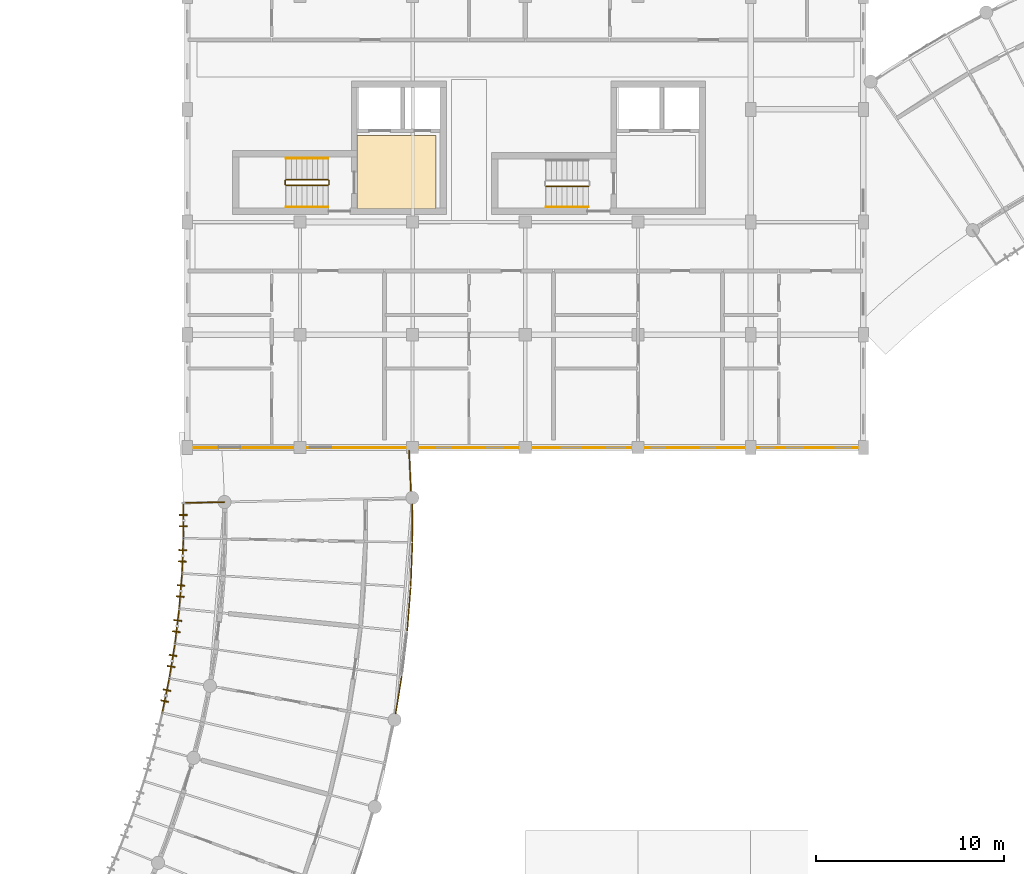
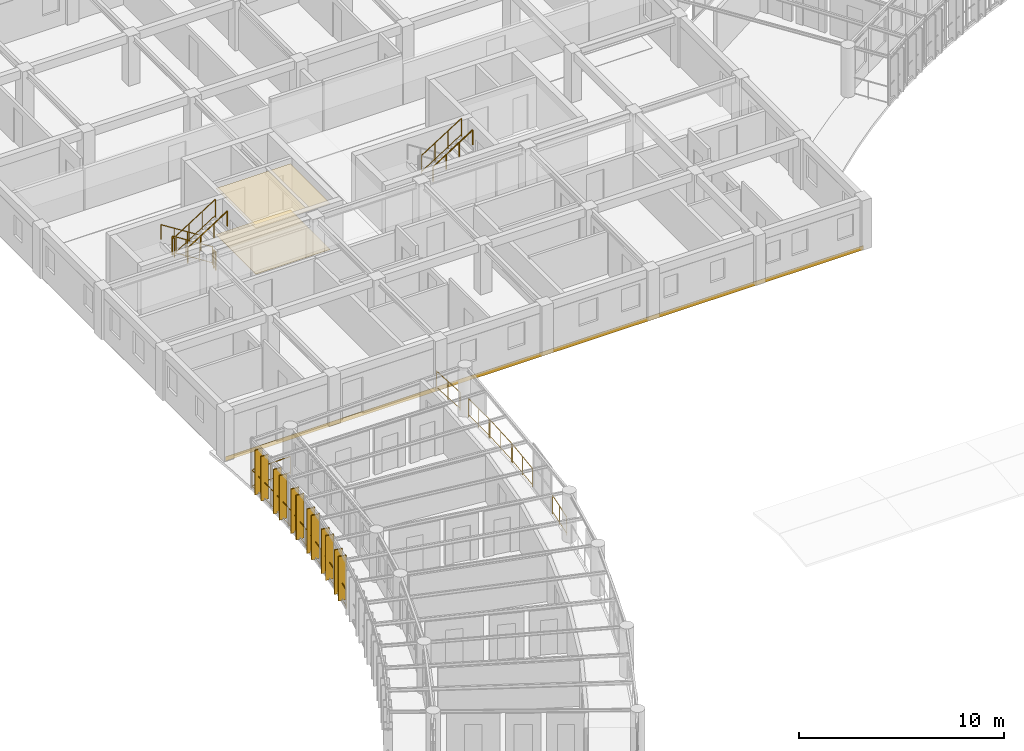
# One storey, part 94 of 100: 20 railings, 12 shading devices, 3 coverings.
"""IFC4 building model written with IfcOpenShell, lengths in metres."""

from ifc_helpers import new_model, si_unit, direction, frame, origin, origin_2d, place, context, subcontext, project, spatial, polyline, rectangle, circle, outline, extrude, material, layer, layer_set, type_object, element, save


model = new_model("IFC4")

# Units and contexts
model_context = context("Model", 3, precision=1e-05, world=origin(), true_north=direction((0.0, 1.0)))
body_context = subcontext(model_context, "Body", "Model", "MODEL_VIEW")
ifc_project = project(units=[si_unit("LENGTHUNIT", "METRE"), si_unit("AREAUNIT", "SQUARE_METRE"), si_unit("VOLUMEUNIT", "CUBIC_METRE"), si_unit("PLANEANGLEUNIT", "RADIAN"), si_unit("MASSUNIT", "GRAM", prefix="KILO"), si_unit("POWERUNIT", "WATT"), si_unit("THERMODYNAMICTEMPERATUREUNIT", "KELVIN")], contexts=[model_context])

# Site, building, storey
site_placement = place(None, origin())
site = spatial("IfcSite", under=ifc_project, at=site_placement, CompositionType="ELEMENT")
building_placement = place(site_placement, origin())
building = spatial("IfcBuilding", under=site, at=building_placement, Name="Ruvembo Vaulted Housing Court", CompositionType="ELEMENT")
storey_placement = place(building_placement, frame((0.0, 0.0, 10.89990234375)))
storey = spatial("IfcBuildingStorey", under=building, at=storey_placement, Name="L03", CompositionType="ELEMENT", Elevation=10.89990234375)

# Coverings
ifc_material_1 = material(Name="Perforated Mineral-Fibre Acoustic Tile", Category="gypsum")
ifc_layer_1 = layer(ifc_material_1, 0.02001953125, Name="Perforated Mineral-Fibre Acoustic Tile")
ifc_layer_set_1 = layer_set([ifc_layer_1], Name="Perforated Mineral-Fibre Acoustic Tile")
covering_type_1 = type_object("IfcCoveringType", Name="COV-CEIL-ACOUST", PredefinedType="CEILING", material=ifc_layer_set_1)
covering_1_placement = place(storey_placement, frame((0.0, 0.0, 2.75)))
element("IfcCovering", 1, at=covering_1_placement, inside=storey, type_object=covering_type_1, Name="Protected Core Lobby B1 Ceiling", PredefinedType="CEILING", context=body_context, shape_type="SweptSolid", body=[
    extrude(outline(polyline([(61.25, 94.60009765625), (57.050048828125, 94.60009765625), (57.050048828125, 90.699951171875), (61.25, 90.699951171875), (61.25, 94.60009765625)])), origin(), (0.0, 0.0, 1.0), 0.02001953125),
])
ifc_material_2 = material(Name="Lime-Cement Mineral Render", Category="plaster")
ifc_layer_2 = layer(ifc_material_2, 0.02490234375, Name="Lime-Cement Mineral Render")
ifc_layer_set_2 = layer_set([ifc_layer_2], Name="Lime-Cement Mineral Render")
covering_type_2 = type_object("IfcCoveringType", Name="COV-CLAD-RENDER", PredefinedType="CLADDING", material=ifc_layer_set_2)
covering_2_placement = place(storey_placement, frame((0.0, 0.0, -0.25)))
element("IfcCovering", 2, at=covering_2_placement, inside=storey, type_object=covering_type_2, Name="Block B L03 Mineral Render Fascia Band", PredefinedType="CLADDING", context=body_context, shape_type="SweptSolid", body=[
    extrude(outline(polyline([(48.0, 77.969970703125), (84.0, 77.969970703125), (84.0, 78.0), (48.0, 78.0), (48.0, 77.969970703125)])), origin(), (0.0, 0.0, 1.0), 0.25),
])
ifc_material_3 = material(Name="Polished Cement-Aggregate Terrazzo", Category="stone")
ifc_layer_3 = layer(ifc_material_3, 0.02197265625, Name="Polished Cement-Aggregate Terrazzo")
ifc_layer_set_3 = layer_set([ifc_layer_3], Name="Polished Cement-Aggregate Terrazzo")
covering_type_3 = type_object("IfcCoveringType", Name="COV-FLR-CERAMIC", PredefinedType="FLOORING", material=ifc_layer_set_3)
covering_3_placement = place(storey_placement, origin())
element("IfcCovering", 3, at=covering_3_placement, inside=storey, type_object=covering_type_3, Name="Protected Core Lobby B1 Flooring", PredefinedType="FLOORING", context=body_context, shape_type="SweptSolid", body=[
    extrude(outline(polyline([(61.25, 94.60009765625), (57.050048828125, 94.60009765625), (57.050048828125, 90.699951171875), (61.25, 90.699951171875), (61.25, 94.60009765625)])), origin(), (0.0, 0.0, 1.0), 0.022216796875),
])

# Railings
ifc_material_4 = material(Name="Galvanised Painted Steel and Laminated Glass", Category="steel")
ifc_layer_4 = layer(ifc_material_4, 0.070068359375, Name="Galvanised Painted Steel and Laminated Glass")
ifc_layer_set_4 = layer_set([ifc_layer_4], Name="Galvanised Painted Steel and Laminated Glass")
railing_type_1 = type_object("IfcRailingType", Name="RL-BALUST-1120", PredefinedType="BALUSTRADE", material=ifc_layer_set_4)
railing_1_placement = place(storey_placement, frame((59.09716796875, 63.8408203125, 0.0)))
element("IfcRailing", 4, at=railing_1_placement, inside=storey, type_object=railing_type_1, Name="L03 Perimeter Guard RL-EXT-L03-0120", PredefinedType="BALUSTRADE", context=body_context, shape_type="SweptSolid", body=[
    extrude(circle(Radius=0.02392578125, at=origin_2d()), frame((0.0, 0.0, 1.09619140625), z_axis=(0.160952647664, 0.986962129572, 0.0), x_axis=(-0.986962129572, 0.160952647664, 0.0)), (0.0, 0.0, 1.0), 1.9765625),
    extrude(circle(Radius=0.01806640625, at=origin_2d()), frame((0.0, 0.0, 0.1201171875), z_axis=(0.160952647664, 0.986962129572, 0.0), x_axis=(-0.986962129572, 0.160952647664, 0.0)), (0.0, 0.0, 1.0), 1.9765625),
    extrude(circle(Radius=0.02099609375, at=origin_2d()), origin(), (0.0, 0.0, 1.0), 1.072021484375),
    extrude(circle(Radius=0.02099609375, at=origin_2d()), frame((0.1591796875, 0.975341796875, 0.0)), (0.0, 0.0, 1.0), 1.072021484375),
    extrude(circle(Radius=0.02099609375, at=origin_2d()), frame((0.318115234375, 1.95068359375, 0.0)), (0.0, 0.0, 1.0), 1.072021484375),
])
railing_2_placement = place(storey_placement, frame((59.71337890625, 68.249755859375, 0.0)))
element("IfcRailing", 5, at=railing_2_placement, inside=storey, type_object=railing_type_1, Name="L03 Perimeter Guard RL-EXT-L03-0121", PredefinedType="BALUSTRADE", context=body_context, shape_type="SweptSolid", body=[
    extrude(circle(Radius=0.02392578125, at=origin_2d()), frame((0.0, 0.0, 1.09619140625), z_axis=(0.079459662102, 0.996838082187, 0.0), x_axis=(-0.996838082187, 0.079459662102, 0.0)), (0.0, 0.0, 1.0), 2.276611328125),
    extrude(circle(Radius=0.01806640625, at=origin_2d()), frame((0.0, 0.0, 0.1201171875), z_axis=(0.079459662102, 0.996838082187, 0.0), x_axis=(-0.996838082187, 0.079459662102, 0.0)), (0.0, 0.0, 1.0), 2.276611328125),
    extrude(circle(Radius=0.02099609375, at=origin_2d()), origin(), (0.0, 0.0, 1.0), 1.072021484375),
    extrude(circle(Radius=0.02099609375, at=origin_2d()), frame((0.09033203125, 1.134765625, 0.0)), (0.0, 0.0, 1.0), 1.072021484375),
    extrude(circle(Radius=0.02099609375, at=origin_2d()), frame((0.180908203125, 2.26953125, 0.0)), (0.0, 0.0, 1.0), 1.072021484375),
])
railing_3_placement = place(storey_placement, frame((59.900390625, 70.618896484375, 0.0)))
element("IfcRailing", 6, at=railing_3_placement, inside=storey, type_object=railing_type_1, Name="L03 Perimeter Guard RL-EXT-L03-0122", PredefinedType="BALUSTRADE", context=body_context, shape_type="SweptSolid", body=[
    extrude(circle(Radius=0.02392578125, at=origin_2d()), frame((0.0, 0.0, 1.09619140625), z_axis=(0.038713176798, 0.999250363994, 0.0), x_axis=(-0.999250363994, 0.038713176798, 0.0)), (0.0, 0.0, 1.0), 2.276611328125),
    extrude(circle(Radius=0.01806640625, at=origin_2d()), frame((0.0, 0.0, 0.1201171875), z_axis=(0.038713176798, 0.999250363994, 0.0), x_axis=(-0.999250363994, 0.038713176798, 0.0)), (0.0, 0.0, 1.0), 2.276611328125),
    extrude(circle(Radius=0.02099609375, at=origin_2d()), origin(), (0.0, 0.0, 1.0), 1.072021484375),
    extrude(circle(Radius=0.02099609375, at=origin_2d()), frame((0.0439453125, 1.137451171875, 0.0)), (0.0, 0.0, 1.0), 1.072021484375),
    extrude(circle(Radius=0.02099609375, at=origin_2d()), frame((0.088134765625, 2.27490234375, 0.0)), (0.0, 0.0, 1.0), 1.072021484375),
])
railing_4_placement = place(storey_placement, frame((59.990234375, 72.993896484375, 0.0)))
element("IfcRailing", 7, at=railing_4_placement, inside=storey, type_object=railing_type_1, Name="L03 Perimeter Guard RL-EXT-L03-0123", PredefinedType="BALUSTRADE", context=body_context, shape_type="SweptSolid", body=[
    extrude(circle(Radius=0.02392578125, at=origin_2d()), frame((0.0, 0.0, 1.09619140625), z_axis=(-0.002223589314, 0.999997527822, 0.0), x_axis=(-0.999997527822, -0.002223589314, 0.0)), (0.0, 0.0, 1.0), 1.976318359375),
    extrude(circle(Radius=0.01806640625, at=origin_2d()), frame((0.0, 0.0, 0.1201171875), z_axis=(-0.002223589314, 0.999997527822, 0.0), x_axis=(-0.999997527822, -0.002223589314, 0.0)), (0.0, 0.0, 1.0), 1.976318359375),
    extrude(circle(Radius=0.02099609375, at=origin_2d()), origin(), (0.0, 0.0, 1.0), 1.072021484375),
    extrude(circle(Radius=0.02099609375, at=origin_2d()), frame((-0.002197265625, 0.98828125, 0.0)), (0.0, 0.0, 1.0), 1.072021484375),
    extrude(circle(Radius=0.02099609375, at=origin_2d()), frame((-0.00439453125, 1.976318359375, 0.0)), (0.0, 0.0, 1.0), 1.072021484375),
])
ifc_material_5 = material(Name="Galvanised Painted Steel S275", Category="steel")
ifc_layer_5 = layer(ifc_material_5, 0.06005859375, Name="Galvanised Painted Steel S275")
ifc_layer_set_5 = layer_set([ifc_layer_5], Name="Galvanised Painted Steel S275")
railing_type_2 = type_object("IfcRailingType", Name="RL-GUARD-1100", PredefinedType="GUARDRAIL", material=ifc_layer_set_5)
railing_5_placement = place(storey_placement, frame((46.664794921875, 63.86669921875, 0.0)))
element("IfcRailing", 8, at=railing_5_placement, inside=storey, type_object=railing_type_2, Name="L03 Perimeter Guard RL-EXT-L03-0102", PredefinedType="GUARDRAIL", context=body_context, shape_type="SweptSolid", body=[
    extrude(circle(Radius=0.02392578125, at=origin_2d()), frame((0.0, 0.0, 1.076171875), z_axis=(0.20126745828, 0.979536324103, 0.0), x_axis=(-0.979536324103, 0.20126745828, 0.0)), (0.0, 0.0, 1.0), 1.87646484375),
    extrude(circle(Radius=0.01806640625, at=origin_2d()), frame((0.0, 0.0, 0.1201171875), z_axis=(0.20126745828, 0.979536324103, 0.0), x_axis=(-0.979536324103, 0.20126745828, 0.0)), (0.0, 0.0, 1.0), 1.87646484375),
    extrude(circle(Radius=0.02099609375, at=origin_2d()), origin(), (0.0, 0.0, 1.0), 1.052001953125),
    extrude(circle(Radius=0.02099609375, at=origin_2d()), frame((0.18896484375, 0.9189453125, 0.0)), (0.0, 0.0, 1.0), 1.052001953125),
    extrude(circle(Radius=0.02099609375, at=origin_2d()), frame((0.377685546875, 1.838134765625, 0.0)), (0.0, 0.0, 1.0), 1.052001953125),
])
railing_6_placement = place(storey_placement, frame((47.04248046875, 65.704833984375, 0.0)))
element("IfcRailing", 9, at=railing_6_placement, inside=storey, type_object=railing_type_2, Name="L03 Perimeter Guard RL-EXT-L03-0103", PredefinedType="GUARDRAIL", context=body_context, shape_type="SweptSolid", body=[
    extrude(circle(Radius=0.02392578125, at=origin_2d()), frame((0.0, 0.0, 1.076171875), z_axis=(0.16093792822, 0.98696452989, 0.0), x_axis=(-0.98696452989, 0.16093792822, 0.0)), (0.0, 0.0, 1.0), 1.87646484375),
    extrude(circle(Radius=0.01806640625, at=origin_2d()), frame((0.0, 0.0, 0.1201171875), z_axis=(0.16093792822, 0.98696452989, 0.0), x_axis=(-0.98696452989, 0.16093792822, 0.0)), (0.0, 0.0, 1.0), 1.87646484375),
    extrude(circle(Radius=0.02099609375, at=origin_2d()), origin(), (0.0, 0.0, 1.0), 1.052001953125),
    extrude(circle(Radius=0.02099609375, at=origin_2d()), frame((0.15087890625, 0.926025390625, 0.0)), (0.0, 0.0, 1.0), 1.052001953125),
    extrude(circle(Radius=0.02099609375, at=origin_2d()), frame((0.302001953125, 1.85205078125, 0.0)), (0.0, 0.0, 1.0), 1.052001953125),
])
railing_7_placement = place(storey_placement, frame((47.344482421875, 67.556884765625, 0.0)))
element("IfcRailing", 10, at=railing_7_placement, inside=storey, type_object=railing_type_2, Name="L03 Perimeter Guard RL-EXT-L03-0104", PredefinedType="GUARDRAIL", context=body_context, shape_type="SweptSolid", body=[
    extrude(circle(Radius=0.02392578125, at=origin_2d()), frame((0.0, 0.0, 1.076171875), z_axis=(0.120335252624, 0.992733311104, 0.0), x_axis=(-0.992733311104, 0.120335252624, 0.0)), (0.0, 0.0, 1.0), 1.876708984375),
    extrude(circle(Radius=0.01806640625, at=origin_2d()), frame((0.0, 0.0, 0.1201171875), z_axis=(0.120335252624, 0.992733311104, 0.0), x_axis=(-0.992733311104, 0.120335252624, 0.0)), (0.0, 0.0, 1.0), 1.876708984375),
    extrude(circle(Radius=0.02099609375, at=origin_2d()), origin(), (0.0, 0.0, 1.0), 1.052001953125),
    extrude(circle(Radius=0.02099609375, at=origin_2d()), frame((0.11279296875, 0.931640625, 0.0)), (0.0, 0.0, 1.0), 1.052001953125),
    extrude(circle(Radius=0.02099609375, at=origin_2d()), frame((0.225830078125, 1.863037109375, 0.0)), (0.0, 0.0, 1.0), 1.052001953125),
])
railing_8_placement = place(storey_placement, frame((47.5703125, 69.419921875, 0.0)))
element("IfcRailing", 11, at=railing_8_placement, inside=storey, type_object=railing_type_2, Name="L03 Perimeter Guard RL-EXT-L03-0105", PredefinedType="GUARDRAIL", context=body_context, shape_type="SweptSolid", body=[
    extrude(circle(Radius=0.02392578125, at=origin_2d()), frame((0.0, 0.0, 1.076171875), z_axis=(0.079610795565, 0.996826023552, 0.0), x_axis=(-0.996826023552, 0.079610795565, 0.0)), (0.0, 0.0, 1.0), 1.876708984375),
    extrude(circle(Radius=0.01806640625, at=origin_2d()), frame((0.0, 0.0, 0.1201171875), z_axis=(0.079610795565, 0.996826023552, 0.0), x_axis=(-0.996826023552, 0.079610795565, 0.0)), (0.0, 0.0, 1.0), 1.876708984375),
    extrude(circle(Radius=0.02099609375, at=origin_2d()), origin(), (0.0, 0.0, 1.0), 1.052001953125),
    extrude(circle(Radius=0.02099609375, at=origin_2d()), frame((0.07470703125, 0.935546875, 0.0)), (0.0, 0.0, 1.0), 1.052001953125),
    extrude(circle(Radius=0.02099609375, at=origin_2d()), frame((0.1494140625, 1.870849609375, 0.0)), (0.0, 0.0, 1.0), 1.052001953125),
])
railing_9_placement = place(storey_placement, frame((47.7197265625, 71.290771484375, 0.0)))
element("IfcRailing", 12, at=railing_9_placement, inside=storey, type_object=railing_type_2, Name="L03 Perimeter Guard RL-EXT-L03-0106", PredefinedType="GUARDRAIL", context=body_context, shape_type="SweptSolid", body=[
    extrude(circle(Radius=0.02392578125, at=origin_2d()), frame((0.0, 0.0, 1.076171875), z_axis=(0.038767865725, 0.999248243725, 0.0), x_axis=(-0.999248243725, 0.038767865725, 0.0)), (0.0, 0.0, 1.0), 1.876708984375),
    extrude(circle(Radius=0.01806640625, at=origin_2d()), frame((0.0, 0.0, 0.1201171875), z_axis=(0.038767865725, 0.999248243725, 0.0), x_axis=(-0.999248243725, 0.038767865725, 0.0)), (0.0, 0.0, 1.0), 1.876708984375),
    extrude(circle(Radius=0.02099609375, at=origin_2d()), origin(), (0.0, 0.0, 1.0), 1.052001953125),
    extrude(circle(Radius=0.02099609375, at=origin_2d()), frame((0.036376953125, 0.9375, 0.0)), (0.0, 0.0, 1.0), 1.052001953125),
    extrude(circle(Radius=0.02099609375, at=origin_2d()), frame((0.07275390625, 1.875244140625, 0.0)), (0.0, 0.0, 1.0), 1.052001953125),
])
railing_10_placement = place(storey_placement, frame((47.79248046875, 73.166015625, 0.0)))
element("IfcRailing", 13, at=railing_10_placement, inside=storey, type_object=railing_type_2, Name="L03 Perimeter Guard RL-EXT-L03-0107", PredefinedType="GUARDRAIL", context=body_context, shape_type="SweptSolid", body=[
    extrude(circle(Radius=0.02392578125, at=origin_2d()), frame((0.0, 0.0, 1.076171875), z_axis=(-0.002341913952, 0.999997257716, 0.0), x_axis=(-0.999997257716, -0.002341913952, 0.0)), (0.0, 0.0, 1.0), 1.87646484375),
    extrude(circle(Radius=0.01806640625, at=origin_2d()), frame((0.0, 0.0, 0.1201171875), z_axis=(-0.002341913952, 0.999997257716, 0.0), x_axis=(-0.999997257716, -0.002341913952, 0.0)), (0.0, 0.0, 1.0), 1.87646484375),
    extrude(circle(Radius=0.02099609375, at=origin_2d()), origin(), (0.0, 0.0, 1.0), 1.052001953125),
    extrude(circle(Radius=0.02099609375, at=origin_2d()), frame((-0.002197265625, 0.938232421875, 0.0)), (0.0, 0.0, 1.0), 1.052001953125),
    extrude(circle(Radius=0.02099609375, at=origin_2d()), frame((-0.00439453125, 1.87646484375, 0.0)), (0.0, 0.0, 1.0), 1.052001953125),
])
railing_11_placement = place(storey_placement, frame((47.7880859375, 75.04248046875, 0.0)))
element("IfcRailing", 14, at=railing_11_placement, inside=storey, type_object=railing_type_2, Name="L03 Perimeter Guard RL-EXT-L03-0108", PredefinedType="GUARDRAIL", context=body_context, shape_type="SweptSolid", body=[
    extrude(circle(Radius=0.02392578125, at=origin_2d()), frame((0.0, 0.0, 1.076171875), z_axis=(0.999741204967, 0.022749133868, 0.0), x_axis=(-0.022749133868, 0.999741204967, 0.0)), (0.0, 0.0, 1.0), 2.199951171875),
    extrude(circle(Radius=0.01806640625, at=origin_2d()), frame((0.0, 0.0, 0.1201171875), z_axis=(0.999741204967, 0.022749133868, 0.0), x_axis=(-0.022749133868, 0.999741204967, 0.0)), (0.0, 0.0, 1.0), 2.199951171875),
    extrude(circle(Radius=0.02099609375, at=origin_2d()), origin(), (0.0, 0.0, 1.0), 1.052001953125),
    extrude(circle(Radius=0.02099609375, at=origin_2d()), frame((1.099609375, 0.02490234375, 0.0)), (0.0, 0.0, 1.0), 1.052001953125),
    extrude(circle(Radius=0.02099609375, at=origin_2d()), frame((2.199462890625, 0.050048828125, 0.0)), (0.0, 0.0, 1.0), 1.052001953125),
])
railing_12_placement = place(storey_placement, frame((59.81103515625, 77.824951171875, 0.0)))
element("IfcRailing", 15, at=railing_12_placement, inside=storey, type_object=railing_type_2, Name="L03 Perimeter Guard RL-EXT-L03-0895", PredefinedType="GUARDRAIL", context=body_context, shape_type="SweptSolid", body=[
    extrude(circle(Radius=0.02392578125, at=origin_2d()), frame((0.0, 0.0, 1.076171875), z_axis=(0.045754430585, -0.998952717641, 0.0), x_axis=(0.998952717641, 0.045754430585, 0.0)), (0.0, 0.0, 1.0), 2.1396484375),
    extrude(circle(Radius=0.01806640625, at=origin_2d()), frame((0.0, 0.0, 0.1201171875), z_axis=(0.045754430585, -0.998952717641, 0.0), x_axis=(0.998952717641, 0.045754430585, 0.0)), (0.0, 0.0, 1.0), 2.1396484375),
    extrude(circle(Radius=0.02099609375, at=origin_2d()), origin(), (0.0, 0.0, 1.0), 1.052001953125),
    extrude(circle(Radius=0.02099609375, at=origin_2d()), frame((0.048828125, -1.06884765625, 0.0)), (0.0, 0.0, 1.0), 1.052001953125),
    extrude(circle(Radius=0.02099609375, at=origin_2d()), frame((0.097900390625, -2.137451171875, 0.0)), (0.0, 0.0, 1.0), 1.052001953125),
])
ifc_material_6 = material(Name="Painted Galvanised Steel S275", Category="steel")
ifc_layer_6 = layer(ifc_material_6, 0.06005859375, Name="Painted Galvanised Steel S275")
ifc_layer_set_6 = layer_set([ifc_layer_6], Name="Painted Galvanised Steel S275")
railing_type_3 = type_object("IfcRailingType", Name="RL-STAIR-GR1100", PredefinedType="GUARDRAIL", material=ifc_layer_set_6)
railing_13_placement = place(storey_placement, frame((55.5, 92.25, 0.177978515625)))
element("IfcRailing", 16, at=railing_13_placement, inside=storey, type_object=railing_type_3, Name="L03 ST-B1 stair guard 1", PredefinedType="GUARDRAIL", context=body_context, shape_type="SweptSolid", body=[
    extrude(circle(Radius=0.02392578125, at=origin_2d()), frame((0.0, 0.0, 1.076171875), z_axis=(-0.8442293374, 0.0, 0.53598211339), x_axis=(0.0, -1.0, 0.0)), (0.0, 0.0, 1.0), 2.6533203125),
    extrude(circle(Radius=0.01806640625, at=origin_2d()), frame((0.0, 0.0, 0.1201171875), z_axis=(-0.8442293374, 0.0, 0.53598211339), x_axis=(0.0, -1.0, 0.0)), (0.0, 0.0, 1.0), 2.6533203125),
    extrude(circle(Radius=0.02099609375, at=origin_2d()), origin(), (0.0, 0.0, 1.0), 1.052001953125),
    extrude(circle(Radius=0.02099609375, at=origin_2d()), frame((-0.74658203125, 0.0, 0.47412109375)), (0.0, 0.0, 1.0), 1.052001953125),
    extrude(circle(Radius=0.02099609375, at=origin_2d()), frame((-1.493408203125, 0.0, 0.947998046875)), (0.0, 0.0, 1.0), 1.052001953125),
    extrude(circle(Radius=0.02099609375, at=origin_2d()), frame((-2.239990234375, 0.0, 1.422119140625)), (0.0, 0.0, 1.0), 1.052001953125),
])
railing_14_placement = place(storey_placement, frame((53.2099609375, 92.199951171875, 1.60009765625)))
element("IfcRailing", 17, at=railing_14_placement, inside=storey, type_object=railing_type_3, Name="L03 ST-B1 stair guard 2", PredefinedType="GUARDRAIL", context=body_context, shape_type="SweptSolid", body=[
    extrude(circle(Radius=0.02392578125, at=origin_2d()), frame((0.0, 0.0, 1.076171875), z_axis=(0.0, -1.0, 0.0), x_axis=(1.0, 0.0, 0.0)), (0.0, 0.0, 1.0), 0.199951171875),
    extrude(circle(Radius=0.01806640625, at=origin_2d()), frame((0.0, 0.0, 0.1201171875), z_axis=(0.0, -1.0, 0.0), x_axis=(1.0, 0.0, 0.0)), (0.0, 0.0, 1.0), 0.199951171875),
    extrude(circle(Radius=0.02099609375, at=origin_2d()), origin(), (0.0, 0.0, 1.0), 1.052001953125),
    extrude(circle(Radius=0.02099609375, at=origin_2d()), frame((0.0, -0.199951171875, 0.0)), (0.0, 0.0, 1.0), 1.052001953125),
])
railing_15_placement = place(storey_placement, frame((53.260009765625, 91.949951171875, 1.77783203125)))
element("IfcRailing", 18, at=railing_15_placement, inside=storey, type_object=railing_type_3, Name="L03 ST-B1 stair guard 3", PredefinedType="GUARDRAIL", context=body_context, shape_type="SweptSolid", body=[
    extrude(circle(Radius=0.02392578125, at=origin_2d()), frame((0.0, 0.0, 1.076171875), z_axis=(0.84418770128, 0.0, 0.536047689118), x_axis=(0.0, 1.0, 0.0)), (0.0, 0.0, 1.0), 2.6533203125),
    extrude(circle(Radius=0.01806640625, at=origin_2d()), frame((0.0, 0.0, 0.1201171875), z_axis=(0.84418770128, 0.0, 0.536047689118), x_axis=(0.0, 1.0, 0.0)), (0.0, 0.0, 1.0), 2.6533203125),
    extrude(circle(Radius=0.02099609375, at=origin_2d()), origin(), (0.0, 0.0, 1.0), 1.052001953125),
    extrude(circle(Radius=0.02099609375, at=origin_2d()), frame((0.74658203125, 0.0, 0.47412109375)), (0.0, 0.0, 1.0), 1.052001953125),
    extrude(circle(Radius=0.02099609375, at=origin_2d()), frame((1.493408203125, 0.0, 0.9482421875)), (0.0, 0.0, 1.0), 1.052001953125),
    extrude(circle(Radius=0.02099609375, at=origin_2d()), frame((2.239990234375, 0.0, 1.42236328125)), (0.0, 0.0, 1.0), 1.052001953125),
])
railing_16_placement = place(storey_placement, frame((55.550048828125, 92.199951171875, 0.0)))
element("IfcRailing", 19, at=railing_16_placement, inside=storey, type_object=railing_type_3, Name="L03 ST-B1 stair guard 4", PredefinedType="GUARDRAIL", context=body_context, shape_type="SweptSolid", body=[
    extrude(circle(Radius=0.02392578125, at=origin_2d()), frame((0.0, 0.0, 1.076171875), z_axis=(0.0, -1.0, 0.0), x_axis=(1.0, 0.0, 0.0)), (0.0, 0.0, 1.0), 0.199951171875),
    extrude(circle(Radius=0.01806640625, at=origin_2d()), frame((0.0, 0.0, 0.1201171875), z_axis=(0.0, -1.0, 0.0), x_axis=(1.0, 0.0, 0.0)), (0.0, 0.0, 1.0), 0.199951171875),
    extrude(circle(Radius=0.02099609375, at=origin_2d()), origin(), (0.0, 0.0, 1.0), 1.052001953125),
    extrude(circle(Radius=0.02099609375, at=origin_2d()), frame((0.0, -0.199951171875, 0.0)), (0.0, 0.0, 1.0), 1.052001953125),
])
railing_17_placement = place(storey_placement, frame((67.110107421875, 91.89990234375, 1.77783203125)))
element("IfcRailing", 20, at=railing_17_placement, inside=storey, type_object=railing_type_3, Name="L03 ST-B2 stair guard 3", PredefinedType="GUARDRAIL", context=body_context, shape_type="SweptSolid", body=[
    extrude(circle(Radius=0.02392578125, at=origin_2d()), frame((0.0, 0.0, 1.076171875), z_axis=(0.84418770128, 0.0, 0.536047689118), x_axis=(0.0, 1.0, 0.0)), (0.0, 0.0, 1.0), 2.6533203125),
    extrude(circle(Radius=0.01806640625, at=origin_2d()), frame((0.0, 0.0, 0.1201171875), z_axis=(0.84418770128, 0.0, 0.536047689118), x_axis=(0.0, 1.0, 0.0)), (0.0, 0.0, 1.0), 2.6533203125),
    extrude(circle(Radius=0.02099609375, at=origin_2d()), origin(), (0.0, 0.0, 1.0), 1.052001953125),
    extrude(circle(Radius=0.02099609375, at=origin_2d()), frame((0.74658203125, 0.0, 0.47412109375)), (0.0, 0.0, 1.0), 1.052001953125),
    extrude(circle(Radius=0.02099609375, at=origin_2d()), frame((1.493408203125, 0.0, 0.9482421875)), (0.0, 0.0, 1.0), 1.052001953125),
    extrude(circle(Radius=0.02099609375, at=origin_2d()), frame((2.239990234375, 0.0, 1.42236328125)), (0.0, 0.0, 1.0), 1.052001953125),
])
ifc_material_7 = material(Name="Brushed Stainless Steel 304", Category="steel")
ifc_layer_7 = layer(ifc_material_7, 0.050048828125, Name="Brushed Stainless Steel 304")
ifc_layer_set_7 = layer_set([ifc_layer_7], Name="Brushed Stainless Steel 304")
railing_type_4 = type_object("IfcRailingType", Name="RL-STAIR-HR920", PredefinedType="HANDRAIL", material=ifc_layer_set_7)
railing_18_placement = place(storey_placement, frame((55.5, 93.39990234375, 0.359375)))
element("IfcRailing", 21, at=railing_18_placement, inside=storey, type_object=railing_type_4, Name="L03 ST-B1 stair handrail 1", PredefinedType="HANDRAIL", context=body_context, shape_type="SweptSolid", body=[
    extrude(circle(Radius=0.02392578125, at=origin_2d()), frame((0.0, 0.0, 0.8759765625), z_axis=(-0.8442293374, 0.0, 0.53598211339), x_axis=(0.0, -1.0, 0.0)), (0.0, 0.0, 1.0), 2.6533203125),
    extrude(circle(Radius=0.02099609375, at=origin_2d()), origin(), (0.0, 0.0, 1.0), 0.851806640625),
    extrude(circle(Radius=0.02099609375, at=origin_2d()), frame((-0.74658203125, 0.0, 0.47412109375)), (0.0, 0.0, 1.0), 0.851806640625),
    extrude(circle(Radius=0.02099609375, at=origin_2d()), frame((-1.493408203125, 0.0, 0.947998046875)), (0.0, 0.0, 1.0), 0.851806640625),
    extrude(circle(Radius=0.02099609375, at=origin_2d()), frame((-2.239990234375, 0.0, 1.422119140625)), (0.0, 0.0, 1.0), 0.851806640625),
])
for number, where, name in (
    (22, (53.260009765625, 90.800048828125, 1.95947265625), "L03 ST-B1 stair handrail 2"),
    (23, (67.110107421875, 90.800048828125, 1.95947265625), "L03 ST-B2 stair handrail 2"),
):
    element("IfcRailing", number, at=place(storey_placement, frame(where)), inside=storey, type_object=railing_type_4, Name=name, PredefinedType="HANDRAIL", context=body_context, shape_type="SweptSolid", body=[
        extrude(circle(Radius=0.02392578125, at=origin_2d()), frame((0.0, 0.0, 0.8759765625), z_axis=(0.8442293374, 0.0, 0.53598211339), x_axis=(0.0, 1.0, 0.0)), (0.0, 0.0, 1.0), 2.6533203125),
        extrude(circle(Radius=0.02099609375, at=origin_2d()), origin(), (0.0, 0.0, 1.0), 0.851806640625),
        extrude(circle(Radius=0.02099609375, at=origin_2d()), frame((0.74658203125, 0.0, 0.47412109375)), (0.0, 0.0, 1.0), 0.851806640625),
        extrude(circle(Radius=0.02099609375, at=origin_2d()), frame((1.493408203125, 0.0, 0.947998046875)), (0.0, 0.0, 1.0), 0.851806640625),
        extrude(circle(Radius=0.02099609375, at=origin_2d()), frame((2.239990234375, 0.0, 1.422119140625)), (0.0, 0.0, 1.0), 0.851806640625),
    ])

# Shading devices
ifc_material_8 = material(Name="Kiln-Fired Terracotta Extrusion", Category="masonry")
shading_device_type = type_object("IfcShadingDeviceType", Name="SHD-FIN-420", PredefinedType="USERDEFINED", material=ifc_material_8)
for number, where, z_axis, x_axis, name in (
    (24, (46.793212890625, 64.491943359375, 0.05029296875), (0.0, 0.0, 1.0), (0.979547164277, -0.201214693692, 0.0), "Terracotta Brise-Soleil Fin #103"),
    (25, (46.9140625, 65.07958984375, 0.05029296875), (0.0, 0.0, 1.0), (0.979547164277, -0.201214693692, 0.0), "Terracotta Brise-Soleil Fin #104"),
    (26, (47.145263671875, 66.3349609375, 0.05029296875), (0.0, 0.0, 1.0), (0.986957060278, -0.160983729511, 0.0), "Terracotta Brise-Soleil Fin #105"),
    (27, (47.24169921875, 66.927001953125, 0.05029296875), (0.0, 0.0, 1.0), (0.986957060278, -0.160983729511, 0.0), "Terracotta Brise-Soleil Fin #106"),
    (28, (47.42138671875, 68.190673828125, 0.05029296875), (0.0, 0.0, 1.0), (0.992734259016, -0.120327432347, 0.0), "Terracotta Brise-Soleil Fin #107"),
    (29, (47.49365234375, 68.786376953125, 0.05029296875), (0.0, 0.0, 1.0), (0.992734259016, -0.120327432347, 0.0), "Terracotta Brise-Soleil Fin #108"),
    (30, (47.62109375, 70.056396484375, 0.05029296875), (0.0, 0.0, 1.0), (0.996826293951, -0.079607409749, 0.0), "Terracotta Brise-Soleil Fin #109"),
    (31, (47.6689453125, 70.654296875, 0.05029296875), (0.0, 0.0, 1.0), (0.996826293951, -0.079607409749, 0.0), "Terracotta Brise-Soleil Fin #110"),
    (32, (47.744384765625, 71.928466796875, 0.05029296875), (0.0, 0.0, 1.0), (0.999251482534, -0.038684294669, 0.0), "Terracotta Brise-Soleil Fin #111"),
    (33, (47.767578125, 72.528076171875, 0.05029296875), (0.0, 0.0, 1.0), (0.999251482534, -0.038684294669, 0.0), "Terracotta Brise-Soleil Fin #112"),
    (34, (47.791015625, 73.80419921875, 0.05029296875), (0.0, 0.0, 1.0), (0.999997386231, 0.002286379328, 0.0), "Terracotta Brise-Soleil Fin #113"),
    (35, (47.78955078125, 74.404296875, 0.05029296875), (0.0, 0.0, 1.0), (0.999997386231, 0.002286379328, 0.0), "Terracotta Brise-Soleil Fin #114"),
):
    element("IfcShadingDevice", number, at=place(storey_placement, frame(where, z_axis=z_axis, x_axis=x_axis)), inside=storey, type_object=shading_device_type, Name=name, ObjectType="FIN", PredefinedType="USERDEFINED", context=body_context, shape_type="SweptSolid", body=[
        extrude(rectangle(XDim=0.419921875, YDim=0.06494140625, at=origin_2d()), origin(), (0.0, 0.0, 1.0), 2.653076171875),
    ])

save(model, "model.ifc")
